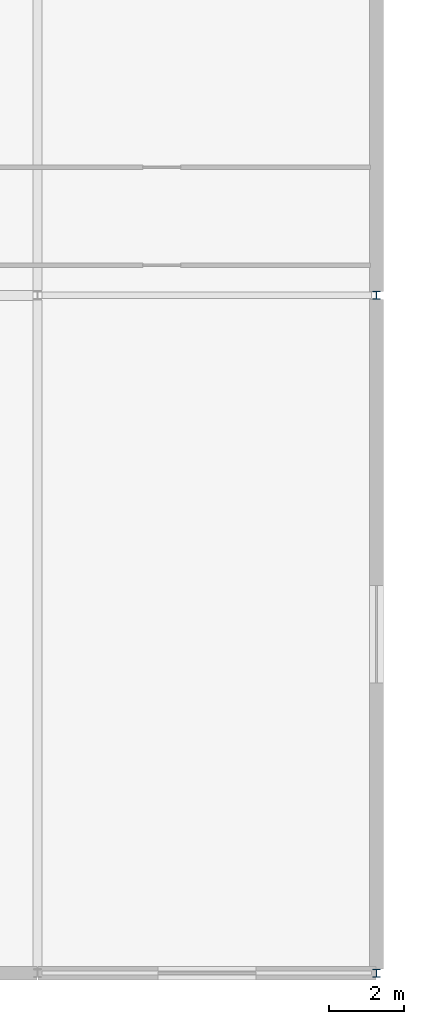
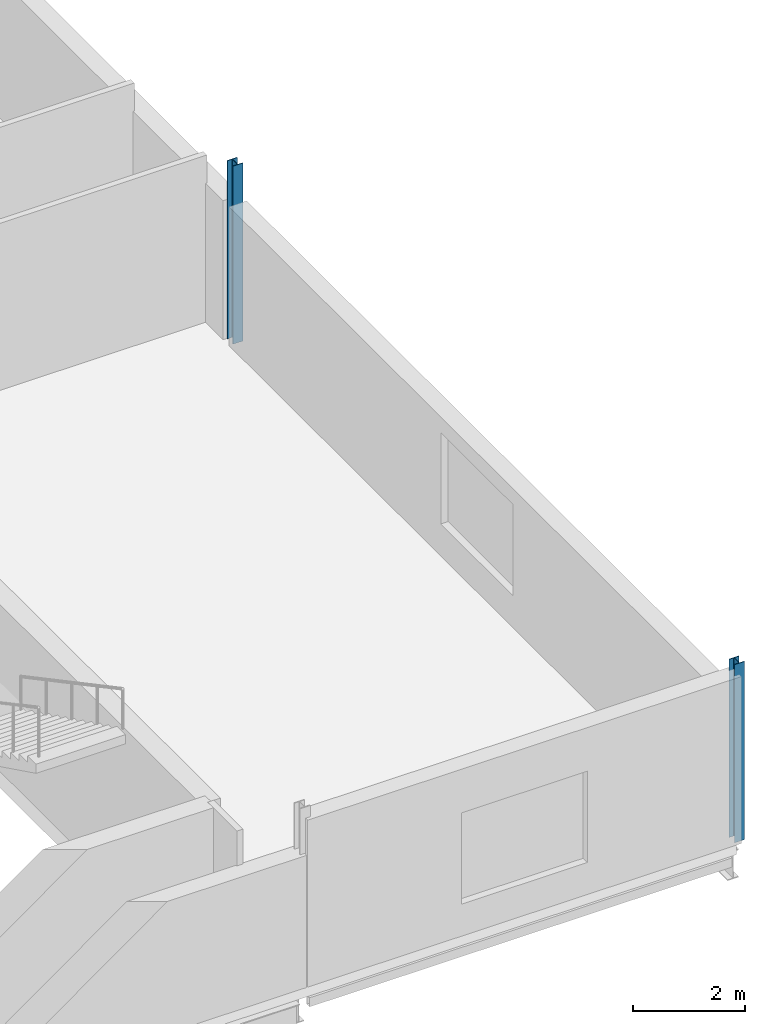
# One storey, part 12 of 35: 2 columns.
"""IFC4 building model written with IfcOpenShell, lengths in metres."""

import ifcopenshell
import ifcopenshell.guid

model = None  # the IFC model being written
_history = None  # IfcOwnerHistory: only IFC2X3 demands one
_inside = {}  # id of a spatial element -> (the spatial element, [elements in it])
_under = {}  # id of a project, library or spatial element -> (it, [spatial elements below it])
_declared = {}  # id of a project -> (the project, [libraries it declares])
_typed = {}  # id of a type object -> (the type object, [elements of that type])
_made_of = {}  # id of a material, layer set ... -> (it, [elements and type objects made of it])


def new_model(schema):
    """Start an empty IFC model of exactly this schema.

    Asked for "IFC4X3", IfcOpenShell would pick the latest addendum, in which some entities
    have other attributes; the version numbers below select the first issue.
    IFC2X3 requires an IfcOwnerHistory on every rooted entity: one is made here for all.
    """
    global model, _history
    if schema == "IFC4X3":
        model = ifcopenshell.file(schema_version=(4, 3, 0, 0))
    else:
        model = ifcopenshell.file(schema=schema)
    _inside.clear()
    _under.clear()
    _declared.clear()
    _typed.clear()
    _made_of.clear()
    _history = None
    if model.schema == "IFC2X3":
        org = make("IfcOrganization", Name="unknown")
        user = make(
            "IfcPersonAndOrganization",
            ThePerson=make("IfcPerson", FamilyName="unknown"),
            TheOrganization=org,
        )
        app = make(
            "IfcApplication",
            ApplicationDeveloper=org,
            Version="unknown",
            ApplicationFullName="unknown",
            ApplicationIdentifier="unknown",
        )
        _history = make(
            "IfcOwnerHistory",
            OwningUser=user,
            OwningApplication=app,
            ChangeAction="ADDED",
            CreationDate=0,
        )
    return model


def make(cls, **values):
    """One entity of the class cls with the attributes given. An attribute that is None is left unset."""
    return model.create_entity(
        cls, **{name: value for name, value in values.items() if value is not None}
    )


def rooted(cls, **values):
    """An entity with a GlobalId (a new one), such as an element, a storey or a relation."""
    return make(cls, GlobalId=ifcopenshell.guid.new(), OwnerHistory=_history, **values)


def si_unit(unit_type, name, prefix=None):
    """IfcSIUnit, for example si_unit("LENGTHUNIT", "METRE", prefix="MILLI")."""
    return make("IfcSIUnit", UnitType=unit_type, Prefix=prefix, Name=name)


def assignment(units):
    """IfcUnitAssignment: the units of a project."""
    return None if units is None else make("IfcUnitAssignment", Units=units)


def point(xyz):
    """IfcCartesianPoint."""
    return None if xyz is None else make("IfcCartesianPoint", Coordinates=xyz)


def direction(xyz):
    """IfcDirection."""
    return None if xyz is None else make("IfcDirection", DirectionRatios=xyz)


def frame(location, z_axis=None, x_axis=None):
    """IfcAxis2Placement3D, a coordinate frame: its origin and axes. An axis left out is left unset."""
    return make(
        "IfcAxis2Placement3D",
        Location=point(location),
        Axis=direction(z_axis),
        RefDirection=direction(x_axis),
    )


def frame_2d(location, x_axis=None):
    """IfcAxis2Placement2D, a coordinate frame in the plane: its origin and x axis."""
    return make(
        "IfcAxis2Placement2D", Location=point(location), RefDirection=direction(x_axis)
    )


def origin():
    """The frame at (0, 0, 0) with its axes left unset."""
    return frame((0.0, 0.0, 0.0))


def origin_2d():
    """The frame at (0, 0) in the plane with its x axis left unset."""
    return frame_2d((0.0, 0.0))


def place(relative_to, where):
    """IfcLocalPlacement: puts the frame where relative to a parent placement (None: the world)."""
    return make(
        "IfcLocalPlacement", PlacementRelTo=relative_to, RelativePlacement=where
    )


def context(
    kind, dimensions, precision=None, world=None, true_north=None, identifier=None
):
    """IfcGeometricRepresentationContext, for example the 3D "Model" context."""
    return make(
        "IfcGeometricRepresentationContext",
        ContextIdentifier=identifier,
        ContextType=kind,
        CoordinateSpaceDimension=dimensions,
        Precision=precision,
        WorldCoordinateSystem=world,
        TrueNorth=true_north,
    )


def subcontext(parent, identifier, kind, view, scale=None):
    """IfcGeometricRepresentationSubContext, for example "Body" below "Model"."""
    return make(
        "IfcGeometricRepresentationSubContext",
        ContextIdentifier=identifier,
        ContextType=kind,
        ParentContext=parent,
        TargetScale=scale,
        TargetView=view,
    )


def project(units=None, contexts=None):
    """IfcProject with its units and contexts."""
    return rooted(
        "IfcProject",
        Name="project",
        RepresentationContexts=contexts,
        UnitsInContext=assignment(units),
    )


def spatial(cls, under=None, at=None, **own):
    """A site, building, storey or space (cls), placed at a placement, below another one or the project."""
    s = rooted(cls, ObjectPlacement=at, **own)
    if under is not None:
        _under.setdefault(under.id(), (under, []))[1].append(s)
    return s


def profile(cls, at=None, kind="AREA", **sizes):
    """A parametric profile (cls). Its sizes go by their IFC names, for example OverallWidth=200.0."""
    return make(cls, ProfileType=kind, Position=at, **sizes)


def i_section(**sizes):
    """IfcIShapeProfileDef."""
    return profile("IfcIShapeProfileDef", **sizes)


def extrude(swept, where, along, depth):
    """IfcExtrudedAreaSolid: the profile swept, set in the frame where, extruded along a direction by depth."""
    return make(
        "IfcExtrudedAreaSolid",
        SweptArea=swept,
        Position=where,
        ExtrudedDirection=direction(along),
        Depth=depth,
    )


def shape(context_of_items, identifier, shape_type, items):
    """IfcShapeRepresentation: the items that make up one representation, for example the "Body"."""
    return make(
        "IfcShapeRepresentation",
        ContextOfItems=context_of_items,
        RepresentationIdentifier=identifier,
        RepresentationType=shape_type,
        Items=items,
    )


def material(Name=None, Category=None):
    """IfcMaterial."""
    return make("IfcMaterial", Name=Name, Category=Category)


def material_profile(
    of_material, cross_section, Name=None, Category=None, Priority=None
):
    """IfcMaterialProfile: a cross section and its material."""
    return make(
        "IfcMaterialProfile",
        Name=Name,
        Material=of_material,
        Profile=cross_section,
        Priority=Priority,
        Category=Category,
    )


def profile_set(profiles, Name=None, composite=None):
    """IfcMaterialProfileSet."""
    return make(
        "IfcMaterialProfileSet",
        Name=Name,
        MaterialProfiles=profiles,
        CompositeProfile=composite,
    )


def made_of(thing, what):
    """Note that an element or type object is made of a material, layer set ...; save() writes the relation."""
    if what is not None:
        _made_of.setdefault(what.id(), (what, []))[1].append(thing)
    return thing


def type_object(cls, material=None, **own):
    """A type object (cls), such as IfcWallType, which elements share."""
    return made_of(rooted(cls, **own), material)


def element(
    cls,
    number,
    at=None,
    inside=None,
    cuts=None,
    type_object=None,
    material=None,
    context=None,
    identifier="Body",
    shape_type=None,
    held_by="IfcProductDefinitionShape",
    body=None,
    shapes=None,
    **own,
):
    """One element of the class cls, such as IfcWall. Its Tag is "e" and its number.

    at: its placement. inside: the storey or other place that contains it. cuts: it is an
    opening in that element (IfcRelVoidsElement). A single representation is given by context,
    identifier, shape_type and body (its items); several are given by shapes. held_by: the class
    of the entity that holds the representations. save() writes the other relations.
    """
    e = rooted(cls, Tag="e%d" % number, ObjectPlacement=at, **own)
    if body is not None:
        shapes = [shape(context, identifier, shape_type, body)]
    if shapes is not None:
        e.Representation = make(held_by, Representations=shapes)
    if inside is not None:
        _inside.setdefault(inside.id(), (inside, []))[1].append(e)
    if cuts is not None:
        rooted(
            "IfcRelVoidsElement", RelatingBuildingElement=cuts, RelatedOpeningElement=e
        )
    if type_object is not None:
        _typed.setdefault(type_object.id(), (type_object, []))[1].append(e)
    return made_of(e, material)


def aggregate(whole, parts):
    """IfcRelAggregates: a whole, such as a stair, and the parts it consists of."""
    return rooted("IfcRelAggregates", RelatingObject=whole, RelatedObjects=parts)


def save(model, path):
    """Write the relations noted so far, then the file.

    IfcRelAggregates (storeys below a building ...), IfcRelContainedInSpatialStructure (elements
    in a storey), IfcRelDefinesByType, IfcRelAssociatesMaterial and IfcRelDeclares: one each for
    every whole, place, type object, material and project.
    """
    for whole, parts in _under.values():
        aggregate(whole, parts)
    for where, things in _inside.values():
        rooted(
            "IfcRelContainedInSpatialStructure",
            RelatedElements=things,
            RelatingStructure=where,
        )
    for kind, things in _typed.values():
        rooted("IfcRelDefinesByType", RelatedObjects=things, RelatingType=kind)
    for what, things in _made_of.values():
        rooted("IfcRelAssociatesMaterial", RelatedObjects=things, RelatingMaterial=what)
    for by, libraries in _declared.values():
        rooted("IfcRelDeclares", RelatingContext=by, RelatedDefinitions=libraries)
    model.write(path)


model = new_model("IFC4")

# Units and contexts
model_context = context("Model", 3, precision=1e-05, world=origin(), true_north=direction((0.0, 1.0)))
body_context = subcontext(model_context, "Body", "Model", "MODEL_VIEW")
ifc_project = project(units=[si_unit("LENGTHUNIT", "METRE"), si_unit("AREAUNIT", "SQUARE_METRE"), si_unit("VOLUMEUNIT", "CUBIC_METRE"), si_unit("PLANEANGLEUNIT", "RADIAN"), si_unit("MASSUNIT", "GRAM", prefix="KILO")], contexts=[model_context])

# Site, building, storey
site_placement = place(None, origin())
site = spatial("IfcSite", under=ifc_project, at=site_placement, CompositionType="ELEMENT")
building_placement = place(site_placement, origin())
building = spatial("IfcBuilding", under=site, at=building_placement, Name="Kisiwana Market Hall", CompositionType="ELEMENT")
storey_placement = place(building_placement, frame((0.0, 0.0, 57.89990234375)))
storey = spatial("IfcBuildingStorey", under=building, at=storey_placement, Name="L13", CompositionType="ELEMENT", Elevation=57.89990234375)

# Columns
ifc_material = material(Name="Steel S355", Category="steel")
ifc_material_profile = material_profile(ifc_material, i_section(OverallWidth=0.205810546875, OverallDepth=0.209716796875, WebThickness=0.009521484375, FlangeThickness=0.01416015625, FilletRadius=0.01025390625, at=origin_2d()), Name="UC 203x203x60")
ifc_profile_set = profile_set([ifc_material_profile], Name="Steel S355")
column_type = type_object("IfcColumnType", Name="COL-STL-UC060", PredefinedType="COLUMN", material=ifc_profile_set)
for number, where, z_axis, x_axis, name in (
    (1, (198.0, 18.0, 0.0), (0.0, 0.0, 1.0), (1.0, 0.0, 0.0), "Column C/23 (L13) C-1433"),
    (2, (198.0, 36.0, 0.0), (0.0, 0.0, 1.0), (1.0, 0.0, 0.0), "Column E/23 (L13) C-1434"),
):
    element("IfcColumn", number, at=place(storey_placement, frame(where, z_axis=z_axis, x_axis=x_axis)), inside=storey, type_object=column_type, Name=name, PredefinedType="COLUMN", context=body_context, shape_type="SweptSolid", body=[
        extrude(i_section(OverallWidth=0.205810546875, OverallDepth=0.209716796875, WebThickness=0.009521484375, FlangeThickness=0.01416015625, FilletRadius=0.01025390625, at=origin_2d()), origin(), (0.0, 0.0, 1.0), 3.900146484375),
    ])

save(model, "model.ifc")
